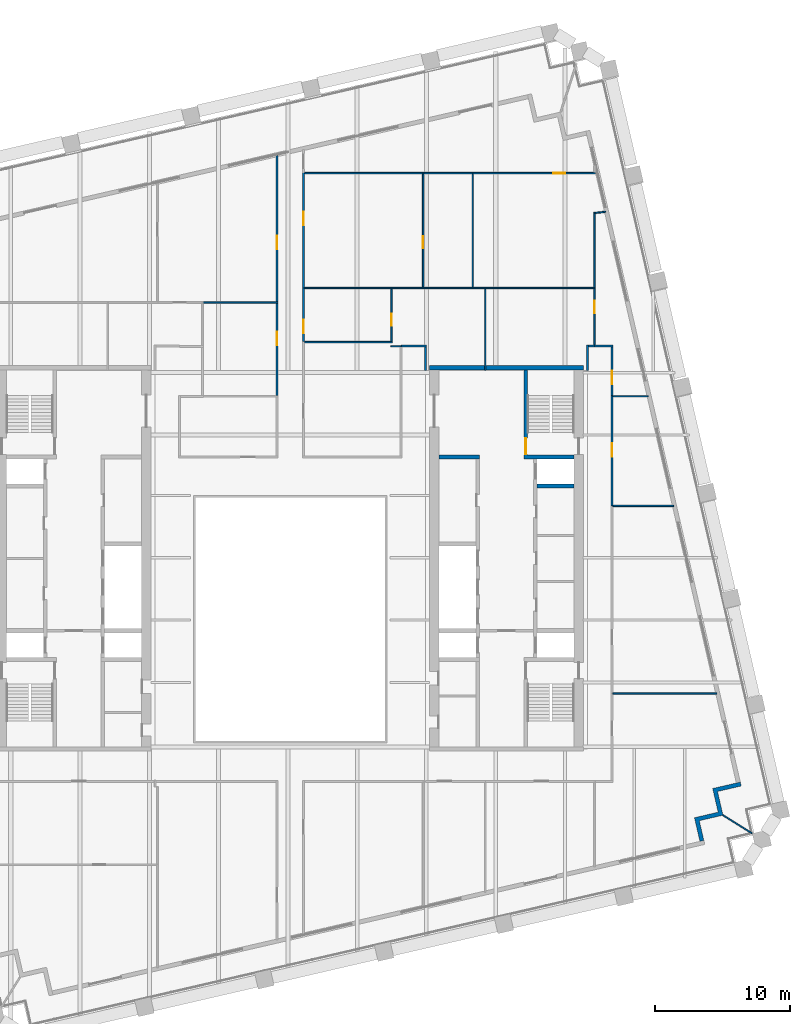
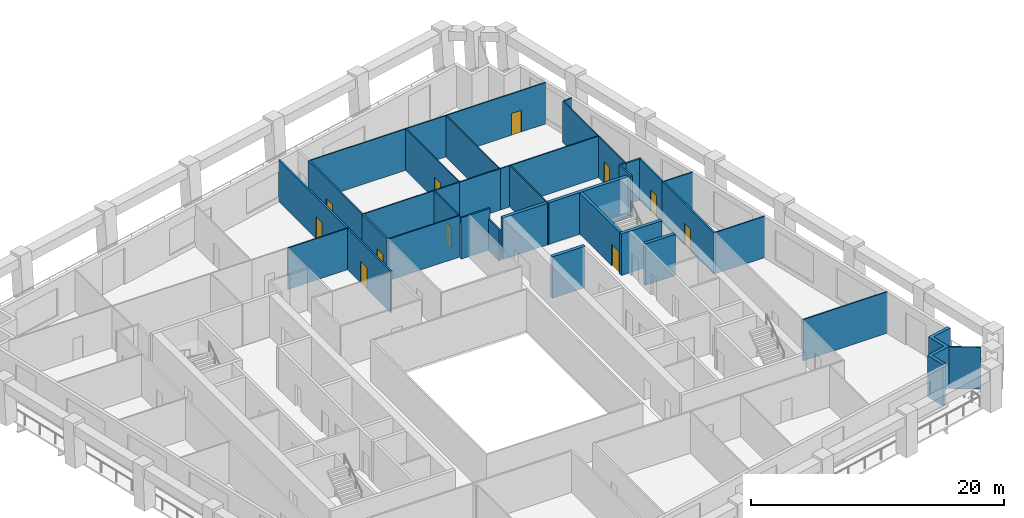
# One storey, part 8 of 11: 39 walls, 11 doors, 11 openings.
"""IFC4 building model written with IfcOpenShell, lengths in metres."""

from ifc_helpers import new_model, si_unit, direction, frame, frame_2d, origin, place, context, subcontext, project, spatial, polyline, rectangle, outline, extrude, material, layer, layer_set, type_object, element, fill, save


model = new_model("IFC4")

# Units and contexts
model_context = context("Model", 3, precision=1e-05, world=origin(), true_north=direction((0.0, 1.0)))
body_context = subcontext(model_context, "Body", "Model", "MODEL_VIEW")
ifc_project = project(units=[si_unit("LENGTHUNIT", "METRE"), si_unit("AREAUNIT", "SQUARE_METRE"), si_unit("VOLUMEUNIT", "CUBIC_METRE"), si_unit("PLANEANGLEUNIT", "RADIAN"), si_unit("MASSUNIT", "GRAM", prefix="KILO")], contexts=[model_context])

# Site, building, storey
site_placement = place(None, origin())
site = spatial("IfcSite", under=ifc_project, at=site_placement, CompositionType="ELEMENT")
building_placement = place(site_placement, origin())
building = spatial("IfcBuilding", under=site, at=building_placement, Name="Ogive Exchange Tower", CompositionType="ELEMENT")
storey_placement = place(building_placement, frame((0.0, 0.0, 184.199951171875)))
storey = spatial("IfcBuildingStorey", under=building, at=storey_placement, Name="L40", CompositionType="ELEMENT", Elevation=184.199951171875)

# Wall
ifc_material_1 = material(Name="Gypsum board partition")
ifc_layer_1 = layer(ifc_material_1, 0.300048828125)
ifc_layer_set_1 = layer_set([ifc_layer_1], Name="Core room partition 300 gypsum")
wall_type_1 = type_object("IfcWallType", Name="Core room partition 300 gypsum", PredefinedType="PARTITIONING", material=ifc_layer_set_1)
wall_1_placement = place(storey_placement, frame((11.0, 19.0, 0.0), z_axis=(0.0, 0.0, 1.0), x_axis=(1.0, 0.0, 0.0)))
element("IfcWall", 1, at=wall_1_placement, inside=storey, type_object=wall_type_1, Name="E row B room end wall 7", PredefinedType="PARTITIONING", context=body_context, shape_type="SweptSolid", body=[
    extrude(rectangle(XDim=3.0, YDim=0.300048828125, at=frame_2d((1.5, 0.0))), origin(), (0.0, 0.0, 1.0), 4.0),
])

# Wall, opening, door
ifc_material_2 = material(Name="Fire partition EI 60 150")
ifc_layer_2 = layer(ifc_material_2, 0.14990234375)
ifc_layer_set_2 = layer_set([ifc_layer_2], Name="Fire partition EI 60 150")
wall_type_2 = type_object("IfcWallType", Name="Fire partition EI 60 150", PredefinedType="PARTITIONING", material=ifc_layer_set_2)
wall_2_placement = place(storey_placement, frame((-0.989990234375, 23.5400390625, 0.0), z_axis=(0.0, 0.0, 1.0), x_axis=(0.0, 1.0, 0.0)))
wall_2 = element("IfcWall", 2, at=wall_2_placement, inside=storey, type_object=wall_type_2, Name="L40-PWL-039", PredefinedType="PARTITIONING", context=body_context, shape_type="SweptSolid", body=[
    extrude(rectangle(XDim=6.830078125, YDim=0.14990234375, at=frame_2d((3.4150390625, 0.0))), origin(), (0.0, 0.0, 1.0), 4.0),
])
opening_1_placement = place(wall_2_placement, frame((3.72998046875, 0.0, 0.0)))
opening_1 = element("IfcOpeningElement", 3, at=opening_1_placement, cuts=wall_2, Name="Opening L40-I06", PredefinedType="OPENING", context=body_context, shape_type="SweptSolid", body=[
    extrude(rectangle(XDim=1.0, YDim=2.10009765625, at=frame_2d((0.5, 1.050048828125))), frame((0.0, 0.0849609375, 0.0), z_axis=(0.0, -1.0, 0.0), x_axis=(1.0, 0.0, 0.0)), (0.0, 0.0, 1.0), 0.169921875),
])
ifc_material_3 = material(Name="Fire door FD 30S 1000 x 2100")
door_type_1 = type_object("IfcDoorType", Name="Fire door FD 30S 1000 x 2100", OperationType="NOTDEFINED", PredefinedType="DOOR", material=ifc_material_3)
door_1_placement = place(opening_1_placement, origin())
door_1 = element("IfcDoor", 4, at=door_1_placement, inside=storey, type_object=door_type_1, Name="L40-IDR-006", ObjectType="DT3", OperationType="SINGLE_SWING_LEFT", OverallHeight=2.10009765625, OverallWidth=1.0, PredefinedType="DOOR", context=body_context, shape_type="SweptSolid", body=[
    extrude(rectangle(XDim=1.0, YDim=2.10009765625, at=frame_2d((0.5, 1.050048828125))), frame((0.0, 0.02490234375, 0.0), z_axis=(0.0, -1.0, 0.0), x_axis=(1.0, 0.0, 0.0)), (0.0, 0.0, 1.0), 0.050048828125),
])
fill(opening_1, door_1)

wall_3_placement = place(storey_placement, frame((-0.989990234375, 30.469970703125, 0.0), z_axis=(0.0, 0.0, 1.0), x_axis=(0.0, 1.0, 0.0)))
wall_3 = element("IfcWall", 5, at=wall_3_placement, inside=storey, type_object=wall_type_2, Name="L40-PWL-040", PredefinedType="PARTITIONING", context=body_context, shape_type="SweptSolid", body=[
    extrude(rectangle(XDim=10.825927734375, YDim=0.14990234375, at=frame_2d((5.4130859375, 0.0))), origin(), (0.0, 0.0, 1.0), 4.0),
])
opening_2_placement = place(wall_3_placement, frame((3.89990234375, 0.0, 0.0)))
opening_2 = element("IfcOpeningElement", 6, at=opening_2_placement, cuts=wall_3, Name="Opening L40-I07", PredefinedType="OPENING", context=body_context, shape_type="SweptSolid", body=[
    extrude(rectangle(XDim=1.0, YDim=2.10009765625, at=frame_2d((0.5, 1.050048828125))), frame((0.0, 0.0849609375, 0.0), z_axis=(0.0, -1.0, 0.0), x_axis=(1.0, 0.0, 0.0)), (0.0, 0.0, 1.0), 0.169921875),
])
door_2_placement = place(opening_2_placement, origin())
door_2 = element("IfcDoor", 7, at=door_2_placement, inside=storey, type_object=door_type_1, Name="L40-IDR-007", ObjectType="DT3", OperationType="SINGLE_SWING_RIGHT", OverallHeight=2.10009765625, OverallWidth=1.0, PredefinedType="DOOR", context=body_context, shape_type="SweptSolid", body=[
    extrude(rectangle(XDim=1.0, YDim=2.10009765625, at=frame_2d((0.5, 1.050048828125))), frame((0.0, 0.02490234375, 0.0), z_axis=(0.0, -1.0, 0.0), x_axis=(1.0, 0.0, 0.0)), (0.0, 0.0, 1.0), 0.050048828125),
])
fill(opening_2, door_2)

wall_4_placement = place(storey_placement, frame((0.989990234375, 31.5, 0.0), z_axis=(0.0, 0.0, 1.0), x_axis=(0.0, -1.0, 0.0)))
wall_4 = element("IfcWall", 8, at=wall_4_placement, inside=storey, type_object=wall_type_2, Name="L40-PWL-044", PredefinedType="PARTITIONING", context=body_context, shape_type="SweptSolid", body=[
    extrude(rectangle(XDim=3.949951171875, YDim=0.14990234375, at=frame_2d((1.97509765625, 0.0))), origin(), (0.0, 0.0, 1.0), 4.0),
])
opening_3_placement = place(wall_4_placement, frame((2.35009765625, 0.0, 0.0)))
opening_3 = element("IfcOpeningElement", 9, at=opening_3_placement, cuts=wall_4, Name="Opening L40-I22", PredefinedType="OPENING", context=body_context, shape_type="SweptSolid", body=[
    extrude(rectangle(XDim=1.0, YDim=2.10009765625, at=frame_2d((0.5, 1.050048828125))), frame((0.0, 0.0849609375, 0.0), z_axis=(0.0, -1.0, 0.0), x_axis=(1.0, 0.0, 0.0)), (0.0, 0.0, 1.0), 0.169921875),
])
door_3_placement = place(opening_3_placement, origin())
door_3 = element("IfcDoor", 10, at=door_3_placement, inside=storey, type_object=door_type_1, Name="L40-IDR-022", ObjectType="DT3", OperationType="SINGLE_SWING_LEFT", OverallHeight=2.10009765625, OverallWidth=1.0, PredefinedType="DOOR", context=body_context, shape_type="SweptSolid", body=[
    extrude(rectangle(XDim=1.0, YDim=2.10009765625, at=frame_2d((0.5, 1.050048828125))), frame((0.0, 0.02490234375, 0.0), z_axis=(0.0, -1.0, 0.0), x_axis=(1.0, 0.0, 0.0)), (0.0, 0.0, 1.0), 0.050048828125),
])
fill(opening_3, door_3)

wall_5_placement = place(storey_placement, frame((0.989990234375, 40.050048828125, 0.0), z_axis=(0.0, 0.0, 1.0), x_axis=(0.0, -1.0, 0.0)))
wall_5 = element("IfcWall", 11, at=wall_5_placement, inside=storey, type_object=wall_type_2, Name="L40-PWL-046", PredefinedType="PARTITIONING", context=body_context, shape_type="SweptSolid", body=[
    extrude(rectangle(XDim=8.550048828125, YDim=0.14990234375, at=frame_2d((4.27490234375, 0.0))), origin(), (0.0, 0.0, 1.0), 4.0),
])
opening_4_placement = place(wall_5_placement, frame((2.89990234375, 0.0, 0.0)))
opening_4 = element("IfcOpeningElement", 12, at=opening_4_placement, cuts=wall_5, Name="Opening L40-I26", PredefinedType="OPENING", context=body_context, shape_type="SweptSolid", body=[
    extrude(rectangle(XDim=1.0, YDim=2.10009765625, at=frame_2d((0.5, 1.050048828125))), frame((0.0, 0.0849609375, 0.0), z_axis=(0.0, -1.0, 0.0), x_axis=(1.0, 0.0, 0.0)), (0.0, 0.0, 1.0), 0.169921875),
])
door_4_placement = place(opening_4_placement, origin())
door_4 = element("IfcDoor", 13, at=door_4_placement, inside=storey, type_object=door_type_1, Name="L40-IDR-026", ObjectType="DT3", OperationType="SINGLE_SWING_RIGHT", OverallHeight=2.10009765625, OverallWidth=1.0, PredefinedType="DOOR", context=body_context, shape_type="SweptSolid", body=[
    extrude(rectangle(XDim=1.0, YDim=2.10009765625, at=frame_2d((0.5, 1.050048828125))), frame((0.0, 0.02490234375, 0.0), z_axis=(0.0, -1.0, 0.0), x_axis=(1.0, 0.0, 0.0)), (0.0, 0.0, 1.0), 0.050048828125),
])
fill(opening_4, door_4)

# Walls
wall_6_placement = place(storey_placement, frame((8.199951171875, 27.199951171875, 0.0), z_axis=(0.0, 0.0, 1.0), x_axis=(1.0, 0.0, 0.0)))
element("IfcWall", 14, at=wall_6_placement, inside=storey, type_object=wall_type_2, Name="L40-PWL-054", PredefinedType="PARTITIONING", context=body_context, shape_type="SweptSolid", body=[
    extrude(rectangle(XDim=1.875, YDim=0.14990234375, at=frame_2d((0.9375, 0.0))), origin(), (0.0, 0.0, 1.0), 4.0),
])
wall_7_placement = place(storey_placement, frame((10.0, 27.125, 0.0), z_axis=(0.0, 0.0, 1.0), x_axis=(0.0, -1.0, 0.0)))
element("IfcWall", 15, at=wall_7_placement, inside=storey, type_object=wall_type_2, Name="L40-PWL-060", PredefinedType="PARTITIONING", context=body_context, shape_type="SweptSolid", body=[
    extrude(rectangle(XDim=1.72509765625, YDim=0.14990234375, at=frame_2d((0.862548828125, 0.0))), origin(), (0.0, 0.0, 1.0), 3.02001953125),
])
wall_8_placement = place(storey_placement, frame((22.0, 25.39990234375, 0.0), z_axis=(0.0, 0.0, 1.0), x_axis=(0.0, 1.0, 0.0)))
element("IfcWall", 16, at=wall_8_placement, inside=storey, type_object=wall_type_2, Name="L40-PWL-068", PredefinedType="PARTITIONING", context=body_context, shape_type="SweptSolid", body=[
    extrude(rectangle(XDim=1.875, YDim=0.14990234375, at=frame_2d((0.9375, 0.0))), origin(), (0.0, 0.0, 1.0), 4.0),
])
wall_9_placement = place(storey_placement, frame((22.074951171875, 27.199951171875, 0.0), z_axis=(0.0, 0.0, 1.0), x_axis=(1.0, 0.0, 0.0)))
element("IfcWall", 17, at=wall_9_placement, inside=storey, type_object=wall_type_2, Name="L40-PWL-069", PredefinedType="PARTITIONING", context=body_context, shape_type="SweptSolid", body=[
    extrude(rectangle(XDim=0.445068359375, YDim=0.14990234375, at=frame_2d((0.22265625, 0.0))), origin(), (0.0, 0.0, 1.0), 4.0),
])
wall_10_placement = place(storey_placement, frame((22.52001953125, 27.199951171875, 0.0), z_axis=(0.0, 0.0, 1.0), x_axis=(1.0, 0.0, 0.0)))
element("IfcWall", 18, at=wall_10_placement, inside=storey, type_object=wall_type_2, Name="L40-PWL-073", PredefinedType="PARTITIONING", context=body_context, shape_type="SweptSolid", body=[
    extrude(rectangle(XDim=1.35498046875, YDim=0.14990234375, at=frame_2d((0.677490234375, 0.0))), origin(), (0.0, 0.0, 1.0), 4.0),
])

# Wall, opening, door
wall_11_placement = place(storey_placement, frame((23.800048828125, 23.5400390625, 0.0), z_axis=(0.0, 0.0, 1.0), x_axis=(0.0, -1.0, 0.0)))
wall_11 = element("IfcWall", 19, at=wall_11_placement, inside=storey, type_object=wall_type_2, Name="L40-PWL-082", PredefinedType="PARTITIONING", context=body_context, shape_type="SweptSolid", body=[
    extrude(rectangle(XDim=8.16015625, YDim=0.14990234375, at=frame_2d((4.080078125, 0.0))), origin(), (0.0, 0.0, 1.0), 4.0),
])
opening_5_placement = place(wall_11_placement, frame((3.510009765625, 0.0, 0.0)))
opening_5 = element("IfcOpeningElement", 20, at=opening_5_placement, cuts=wall_11, Name="Opening L40-I20", PredefinedType="OPENING", context=body_context, shape_type="SweptSolid", body=[
    extrude(rectangle(XDim=1.0, YDim=2.10009765625, at=frame_2d((0.5, 1.050048828125))), frame((0.0, 0.0849609375, 0.0), z_axis=(0.0, -1.0, 0.0), x_axis=(1.0, 0.0, 0.0)), (0.0, 0.0, 1.0), 0.169921875),
])
door_5_placement = place(opening_5_placement, origin())
door_5 = element("IfcDoor", 21, at=door_5_placement, inside=storey, type_object=door_type_1, Name="L40-IDR-020", ObjectType="DT3", OperationType="SINGLE_SWING_LEFT", OverallHeight=2.10009765625, OverallWidth=1.0, PredefinedType="DOOR", context=body_context, shape_type="SweptSolid", body=[
    extrude(rectangle(XDim=1.0, YDim=2.10009765625, at=frame_2d((0.5, 1.050048828125))), frame((0.0, 0.02490234375, 0.0), z_axis=(0.0, -1.0, 0.0), x_axis=(1.0, 0.0, 0.0)), (0.0, 0.0, 1.0), 0.050048828125),
])
fill(opening_5, door_5)

wall_12_placement = place(storey_placement, frame((23.800048828125, 27.125, 0.0), z_axis=(0.0, 0.0, 1.0), x_axis=(0.0, -1.0, 0.0)))
wall_12 = element("IfcWall", 22, at=wall_12_placement, inside=storey, type_object=wall_type_2, Name="L40-PWL-084", PredefinedType="PARTITIONING", context=body_context, shape_type="SweptSolid", body=[
    extrude(rectangle(XDim=3.5849609375, YDim=0.14990234375, at=frame_2d((1.79248046875, 0.0))), origin(), (0.0, 0.0, 1.0), 4.0),
])
opening_6_placement = place(wall_12_placement, frame((1.735107421875, 0.0, 0.0)))
opening_6 = element("IfcOpeningElement", 23, at=opening_6_placement, cuts=wall_12, Name="Opening L40-I21", PredefinedType="OPENING", context=body_context, shape_type="SweptSolid", body=[
    extrude(rectangle(XDim=1.0, YDim=2.10009765625, at=frame_2d((0.5, 1.050048828125))), frame((0.0, 0.0849609375, 0.0), z_axis=(0.0, -1.0, 0.0), x_axis=(1.0, 0.0, 0.0)), (0.0, 0.0, 1.0), 0.169921875),
])
door_6_placement = place(opening_6_placement, origin())
door_6 = element("IfcDoor", 24, at=door_6_placement, inside=storey, type_object=door_type_1, Name="L40-IDR-021", ObjectType="DT3", OperationType="SINGLE_SWING_LEFT", OverallHeight=2.10009765625, OverallWidth=1.0, PredefinedType="DOOR", context=body_context, shape_type="SweptSolid", body=[
    extrude(rectangle(XDim=1.0, YDim=2.10009765625, at=frame_2d((0.5, 1.050048828125))), frame((0.0, 0.02490234375, 0.0), z_axis=(0.0, -1.0, 0.0), x_axis=(1.0, 0.0, 0.0)), (0.0, 0.0, 1.0), 0.050048828125),
])
fill(opening_6, door_6)

# Walls
ifc_material_4 = material(Name="Precast concrete C40/50", Category="concrete")
ifc_layer_3 = layer(ifc_material_4, 0.300048828125)
ifc_layer_set_3 = layer_set([ifc_layer_3], Name="Limestone-faced wall 300")
wall_type_3 = type_object("IfcWallType", Name="Limestone-faced wall 300", PredefinedType="STANDARD", material=ifc_layer_set_3)
wall_13_placement = place(storey_placement, origin())
element("IfcWall", 25, at=wall_13_placement, inside=storey, type_object=wall_type_3, Name="External corner wall C1", PredefinedType="STANDARD", context=body_context, shape_type="SweptSolid", body=[
    extrude(outline(polyline([(31.662109375, -7.28466796875), (31.257080078125, -5.53076171875), (33.30322265625, -5.058349609375), (33.370849609375, -5.3505859375), (31.616943359375, -5.755615234375), (32.02197265625, -7.509521484375), (30.26806640625, -7.914306640625), (30.60546875, -9.3759765625), (30.31298828125, -9.443359375), (29.908203125, -7.689697265625), (31.662109375, -7.28466796875)])), origin(), (0.0, 0.0, 1.0), 4.0),
])
ifc_material_5 = material(Name="Laminated safety glass in steel frame", Category="steel")
ifc_layer_4 = layer(ifc_material_5, 0.10009765625)
ifc_layer_set_4 = layer_set([ifc_layer_4], Name="Loggia end screen 100")
wall_type_4 = type_object("IfcWallType", Name="Loggia end screen 100", PredefinedType="STANDARD", material=ifc_layer_set_4)
wall_14_placement = place(storey_placement, frame((32.02197265625, -7.509521484375, -0.050048828125), z_axis=(0.0, 0.0, 1.0), x_axis=(0.848047176257, -0.529920736377, 0.0)))
element("IfcWall", 26, at=wall_14_placement, inside=storey, type_object=wall_type_4, Name="Loggia end screen C1", PredefinedType="STANDARD", context=body_context, shape_type="SweptSolid", body=[
    extrude(rectangle(XDim=2.525634765625, YDim=0.10009765625, at=frame_2d((1.2626953125, 0.0))), origin(), (0.0, 0.0, 1.0), 4.050048828125),
])
ifc_material_6 = material(Name="Partition 100 gypsum")
ifc_layer_5 = layer(ifc_material_6, 0.10009765625)
ifc_layer_set_5 = layer_set([ifc_layer_5], Name="Partition 100 gypsum")
wall_type_5 = type_object("IfcWallType", Name="Partition 100 gypsum", PredefinedType="PARTITIONING", material=ifc_layer_set_5)
wall_15_placement = place(storey_placement, frame((-6.5, 30.419921875, 0.0), z_axis=(0.0, 0.0, 1.0), x_axis=(1.0, 0.0, 0.0)))
element("IfcWall", 27, at=wall_15_placement, inside=storey, type_object=wall_type_5, Name="L40-PWL-035", PredefinedType="PARTITIONING", context=body_context, shape_type="SweptSolid", body=[
    extrude(rectangle(XDim=5.5849609375, YDim=0.10009765625, at=frame_2d((2.79248046875, 0.0))), origin(), (0.0, 0.0, 1.0), 4.0),
])
wall_16_placement = place(storey_placement, frame((1.06494140625, 31.5, 0.0), z_axis=(0.0, 0.0, 1.0), x_axis=(1.0, 0.0, 0.0)))
element("IfcWall", 28, at=wall_16_placement, inside=storey, type_object=wall_type_5, Name="L40-PWL-045", PredefinedType="PARTITIONING", context=body_context, shape_type="SweptSolid", body=[
    extrude(rectangle(XDim=6.485107421875, YDim=0.10009765625, at=frame_2d((3.24267578125, 0.0))), origin(), (0.0, 0.0, 1.0), 4.0),
])
wall_17_placement = place(storey_placement, frame((1.06494140625, 40.0, 0.0), z_axis=(0.0, 0.0, 1.0), x_axis=(1.0, 0.0, 0.0)))
element("IfcWall", 29, at=wall_17_placement, inside=storey, type_object=wall_type_5, Name="L40-PWL-047", PredefinedType="PARTITIONING", context=body_context, shape_type="SweptSolid", body=[
    extrude(rectangle(XDim=8.81494140625, YDim=0.10009765625, at=frame_2d((4.407470703125, 0.0))), origin(), (0.0, 0.0, 1.0), 4.0),
])
wall_18_placement = place(storey_placement, frame((7.449951171875, 27.18994140625, 0.0), z_axis=(0.0, 0.0, 1.0), x_axis=(1.0, 0.0, 0.0)))
element("IfcWall", 30, at=wall_18_placement, inside=storey, type_object=wall_type_5, Name="L40-PWL-049", PredefinedType="PARTITIONING", context=body_context, shape_type="SweptSolid", body=[
    extrude(rectangle(XDim=0.75, YDim=0.10009765625, at=frame_2d((0.375, 0.0))), origin(), (0.0, 0.0, 1.0), 4.0),
])
wall_19_placement = place(storey_placement, frame((7.550048828125, 27.5, 0.0), z_axis=(0.0, 0.0, 1.0), x_axis=(-1.0, 0.0, 0.0)))
element("IfcWall", 31, at=wall_19_placement, inside=storey, type_object=wall_type_5, Name="L40-PWL-050", PredefinedType="PARTITIONING", context=body_context, shape_type="SweptSolid", body=[
    extrude(rectangle(XDim=6.485107421875, YDim=0.10009765625, at=frame_2d((3.24267578125, 0.0))), origin(), (0.0, 0.0, 1.0), 4.0),
])

# Wall, opening, door
wall_20_placement = place(storey_placement, frame((7.5, 31.449951171875, 0.0), z_axis=(0.0, 0.0, 1.0), x_axis=(0.0, -1.0, 0.0)))
wall_20 = element("IfcWall", 32, at=wall_20_placement, inside=storey, type_object=wall_type_5, Name="L40-PWL-051", PredefinedType="PARTITIONING", context=body_context, shape_type="SweptSolid", body=[
    extrude(rectangle(XDim=3.89990234375, YDim=0.10009765625, at=frame_2d((1.949951171875, 0.0))), origin(), (0.0, 0.0, 1.0), 4.0),
])
opening_7_placement = place(wall_20_placement, frame((1.85009765625, 0.0, 0.0)))
opening_7 = element("IfcOpeningElement", 33, at=opening_7_placement, cuts=wall_20, Name="Opening L40-I24", PredefinedType="OPENING", context=body_context, shape_type="SweptSolid", body=[
    extrude(rectangle(XDim=0.89990234375, YDim=2.10009765625, at=frame_2d((0.449951171875, 1.050048828125))), frame((0.0, 0.06005859375, 0.0), z_axis=(0.0, -1.0, 0.0), x_axis=(1.0, 0.0, 0.0)), (0.0, 0.0, 1.0), 0.1201171875),
])
ifc_material_7 = material(Name="Door 900 x 2100")
door_type_2 = type_object("IfcDoorType", Name="Door 900 x 2100", OperationType="NOTDEFINED", PredefinedType="DOOR", material=ifc_material_7)
door_7_placement = place(opening_7_placement, frame((0.89990234375, 0.0, 0.0), z_axis=(0.0, 0.0, 1.0), x_axis=(-1.0, 0.0, 0.0)))
door_7 = element("IfcDoor", 34, at=door_7_placement, inside=storey, type_object=door_type_2, Name="L40-IDR-024", ObjectType="DT1", OperationType="SINGLE_SWING_RIGHT", OverallHeight=2.10009765625, OverallWidth=0.89990234375, PredefinedType="DOOR", context=body_context, shape_type="SweptSolid", body=[
    extrude(rectangle(XDim=0.89990234375, YDim=2.10009765625, at=frame_2d((0.449951171875, 1.050048828125))), frame((0.0, 0.02490234375, 0.0), z_axis=(0.0, -1.0, 0.0), x_axis=(1.0, 0.0, 0.0)), (0.0, 0.0, 1.0), 0.050048828125),
])
fill(opening_7, door_7)

# Walls
wall_21_placement = place(storey_placement, frame((7.5, 31.5, 0.0), z_axis=(0.0, 0.0, 1.0), x_axis=(1.0, 0.0, 0.0)))
element("IfcWall", 35, at=wall_21_placement, inside=storey, type_object=wall_type_5, Name="L40-PWL-052", PredefinedType="PARTITIONING", context=body_context, shape_type="SweptSolid", body=[
    extrude(rectangle(XDim=2.280029296875, YDim=0.10009765625, at=frame_2d((1.14013671875, 0.0))), origin(), (0.0, 0.0, 1.0), 4.0),
])
wall_22_placement = place(storey_placement, frame((9.780029296875, 31.5, 0.0), z_axis=(0.0, 0.0, 1.0), x_axis=(1.0, 0.0, 0.0)))
element("IfcWall", 36, at=wall_22_placement, inside=storey, type_object=wall_type_5, Name="L40-PWL-057", PredefinedType="PARTITIONING", context=body_context, shape_type="SweptSolid", body=[
    extrude(rectangle(XDim=3.77001953125, YDim=0.10009765625, at=frame_2d((1.885009765625, 0.0))), origin(), (0.0, 0.0, 1.0), 4.0),
])

# Wall, opening, door
wall_23_placement = place(storey_placement, frame((9.830078125, 39.949951171875, 0.0), z_axis=(0.0, 0.0, 1.0), x_axis=(0.0, -1.0, 0.0)))
wall_23 = element("IfcWall", 37, at=wall_23_placement, inside=storey, type_object=wall_type_5, Name="L40-PWL-058", PredefinedType="PARTITIONING", context=body_context, shape_type="SweptSolid", body=[
    extrude(rectangle(XDim=8.39990234375, YDim=0.10009765625, at=frame_2d((4.199951171875, 0.0))), origin(), (0.0, 0.0, 1.0), 4.0),
])
opening_8_placement = place(wall_23_placement, frame((4.60009765625, 0.0, 0.0)))
opening_8 = element("IfcOpeningElement", 38, at=opening_8_placement, cuts=wall_23, Name="Opening L40-I27", PredefinedType="OPENING", context=body_context, shape_type="SweptSolid", body=[
    extrude(rectangle(XDim=0.89990234375, YDim=2.10009765625, at=frame_2d((0.449951171875, 1.050048828125))), frame((0.0, 0.06005859375, 0.0), z_axis=(0.0, -1.0, 0.0), x_axis=(1.0, 0.0, 0.0)), (0.0, 0.0, 1.0), 0.1201171875),
])
door_8_placement = place(opening_8_placement, origin())
door_8 = element("IfcDoor", 39, at=door_8_placement, inside=storey, type_object=door_type_2, Name="L40-IDR-027", ObjectType="DT1", OperationType="SINGLE_SWING_LEFT", OverallHeight=2.10009765625, OverallWidth=0.89990234375, PredefinedType="DOOR", context=body_context, shape_type="SweptSolid", body=[
    extrude(rectangle(XDim=0.89990234375, YDim=2.10009765625, at=frame_2d((0.449951171875, 1.050048828125))), frame((0.0, 0.02490234375, 0.0), z_axis=(0.0, -1.0, 0.0), x_axis=(1.0, 0.0, 0.0)), (0.0, 0.0, 1.0), 0.050048828125),
])
fill(opening_8, door_8)

# Walls
wall_24_placement = place(storey_placement, frame((9.8798828125, 40.0, 0.0), z_axis=(0.0, 0.0, 1.0), x_axis=(1.0, 0.0, 0.0)))
element("IfcWall", 40, at=wall_24_placement, inside=storey, type_object=wall_type_5, Name="L40-PWL-059", PredefinedType="PARTITIONING", context=body_context, shape_type="SweptSolid", body=[
    extrude(rectangle(XDim=3.6201171875, YDim=0.10009765625, at=frame_2d((1.81005859375, 0.0))), origin(), (0.0, 0.0, 1.0), 4.0),
])
wall_25_placement = place(storey_placement, frame((13.550048828125, 31.5, 0.0), z_axis=(0.0, 0.0, 1.0), x_axis=(1.0, 0.0, 0.0)))
element("IfcWall", 41, at=wall_25_placement, inside=storey, type_object=wall_type_5, Name="L40-PWL-061", PredefinedType="PARTITIONING", context=body_context, shape_type="SweptSolid", body=[
    extrude(rectangle(XDim=0.8798828125, YDim=0.10009765625, at=frame_2d((0.43994140625, 0.0))), origin(), (0.0, 0.0, 1.0), 4.0),
])
wall_26_placement = place(storey_placement, frame((13.5, 39.949951171875, 0.0), z_axis=(0.0, 0.0, 1.0), x_axis=(0.0, -1.0, 0.0)))
element("IfcWall", 42, at=wall_26_placement, inside=storey, type_object=wall_type_5, Name="L40-PWL-062", PredefinedType="PARTITIONING", context=body_context, shape_type="SweptSolid", body=[
    extrude(rectangle(XDim=8.39990234375, YDim=0.10009765625, at=frame_2d((4.199951171875, 0.0))), origin(), (0.0, 0.0, 1.0), 4.0),
])

# Wall, opening, door
wall_27_placement = place(storey_placement, frame((13.5, 40.0, 0.0), z_axis=(0.0, 0.0, 1.0), x_axis=(1.0, 0.0, 0.0)))
wall_27 = element("IfcWall", 43, at=wall_27_placement, inside=storey, type_object=wall_type_5, Name="L40-PWL-063", PredefinedType="PARTITIONING", context=body_context, shape_type="SweptSolid", body=[
    extrude(rectangle(XDim=9.070068359375, YDim=0.10009765625, at=frame_2d((4.53515625, 0.0))), origin(), (0.0, 0.0, 1.0), 4.0),
])
opening_9_placement = place(wall_27_placement, frame((5.949951171875, 0.0, 0.0)))
opening_9 = element("IfcOpeningElement", 44, at=opening_9_placement, cuts=wall_27, Name="Opening L40-I28", PredefinedType="OPENING", context=body_context, shape_type="SweptSolid", body=[
    extrude(rectangle(XDim=0.89990234375, YDim=2.10009765625, at=frame_2d((0.449951171875, 1.050048828125))), frame((0.0, 0.06005859375, 0.0), z_axis=(0.0, -1.0, 0.0), x_axis=(1.0, 0.0, 0.0)), (0.0, 0.0, 1.0), 0.1201171875),
])
door_9_placement = place(opening_9_placement, frame((0.89990234375, 0.0, 0.0), z_axis=(0.0, 0.0, 1.0), x_axis=(-1.0, 0.0, 0.0)))
door_9 = element("IfcDoor", 45, at=door_9_placement, inside=storey, type_object=door_type_2, Name="L40-IDR-028", ObjectType="DT1", OperationType="SINGLE_SWING_RIGHT", OverallHeight=2.10009765625, OverallWidth=0.89990234375, PredefinedType="DOOR", context=body_context, shape_type="SweptSolid", body=[
    extrude(rectangle(XDim=0.89990234375, YDim=2.10009765625, at=frame_2d((0.449951171875, 1.050048828125))), frame((0.0, 0.02490234375, 0.0), z_axis=(0.0, -1.0, 0.0), x_axis=(1.0, 0.0, 0.0)), (0.0, 0.0, 1.0), 0.050048828125),
])
fill(opening_9, door_9)

# Walls
wall_28_placement = place(storey_placement, frame((14.429931640625, 31.449951171875, 0.0), z_axis=(0.0, 0.0, 1.0), x_axis=(0.0, -1.0, 0.0)))
element("IfcWall", 46, at=wall_28_placement, inside=storey, type_object=wall_type_5, Name="L40-PWL-066", PredefinedType="PARTITIONING", context=body_context, shape_type="SweptSolid", body=[
    extrude(rectangle(XDim=6.050048828125, YDim=0.10009765625, at=frame_2d((3.02490234375, 0.0))), origin(), (0.0, 0.0, 1.0), 4.0),
])
wall_29_placement = place(storey_placement, frame((14.429931640625, 31.5, 0.0), z_axis=(0.0, 0.0, 1.0), x_axis=(1.0, 0.0, 0.0)))
element("IfcWall", 47, at=wall_29_placement, inside=storey, type_object=wall_type_5, Name="L40-PWL-067", PredefinedType="PARTITIONING", context=body_context, shape_type="SweptSolid", body=[
    extrude(rectangle(XDim=8.14013671875, YDim=0.10009765625, at=frame_2d((4.070068359375, 0.0))), origin(), (0.0, 0.0, 1.0), 4.0),
])

# Wall, opening, door
wall_30_placement = place(storey_placement, frame((22.52001953125, 27.27490234375, 0.0), z_axis=(0.0, 0.0, 1.0), x_axis=(0.0, 1.0, 0.0)))
wall_30 = element("IfcWall", 48, at=wall_30_placement, inside=storey, type_object=wall_type_5, Name="L40-PWL-072", PredefinedType="PARTITIONING", context=body_context, shape_type="SweptSolid", body=[
    extrude(rectangle(XDim=4.175048828125, YDim=0.10009765625, at=frame_2d((2.08740234375, 0.0))), origin(), (0.0, 0.0, 1.0), 4.0),
])
opening_10_placement = place(wall_30_placement, frame((2.375, 0.0, 0.0)))
opening_10 = element("IfcOpeningElement", 49, at=opening_10_placement, cuts=wall_30, Name="Opening L40-I25", PredefinedType="OPENING", context=body_context, shape_type="SweptSolid", body=[
    extrude(rectangle(XDim=0.89990234375, YDim=2.10009765625, at=frame_2d((0.449951171875, 1.050048828125))), frame((0.0, 0.06005859375, 0.0), z_axis=(0.0, -1.0, 0.0), x_axis=(1.0, 0.0, 0.0)), (0.0, 0.0, 1.0), 0.1201171875),
])
door_10_placement = place(opening_10_placement, frame((0.89990234375, 0.0, 0.0), z_axis=(0.0, 0.0, 1.0), x_axis=(-1.0, 0.0, 0.0)))
door_10 = element("IfcDoor", 50, at=door_10_placement, inside=storey, type_object=door_type_2, Name="L40-IDR-025", ObjectType="DT1", OperationType="SINGLE_SWING_LEFT", OverallHeight=2.10009765625, OverallWidth=0.89990234375, PredefinedType="DOOR", context=body_context, shape_type="SweptSolid", body=[
    extrude(rectangle(XDim=0.89990234375, YDim=2.10009765625, at=frame_2d((0.449951171875, 1.050048828125))), frame((0.0, 0.02490234375, 0.0), z_axis=(0.0, -1.0, 0.0), x_axis=(1.0, 0.0, 0.0)), (0.0, 0.0, 1.0), 0.050048828125),
])
fill(opening_10, door_10)

# Walls
wall_31_placement = place(storey_placement, frame((22.52001953125, 31.550048828125, 0.0), z_axis=(0.0, 0.0, 1.0), x_axis=(0.0, 1.0, 0.0)))
element("IfcWall", 51, at=wall_31_placement, inside=storey, type_object=wall_type_5, Name="L40-PWL-074", PredefinedType="PARTITIONING", context=body_context, shape_type="SweptSolid", body=[
    extrude(rectangle(XDim=5.550048828125, YDim=0.10009765625, at=frame_2d((2.77490234375, 0.0))), origin(), (0.0, 0.0, 1.0), 4.0),
])
wall_32_placement = place(storey_placement, frame((22.570068359375, 37.055908203125, 0.0), z_axis=(0.0, 0.0, 1.0), x_axis=(0.993410326243, 0.114612057454, 0.0)))
element("IfcWall", 52, at=wall_32_placement, inside=storey, type_object=wall_type_5, Name="L40-PWL-075", PredefinedType="PARTITIONING", context=body_context, shape_type="SweptSolid", body=[
    extrude(rectangle(XDim=0.76904296875, YDim=0.10009765625, at=frame_2d((0.384521484375, 0.0))), origin(), (0.0, 0.0, 1.0), 4.0),
])
wall_33_placement = place(storey_placement, frame((23.875, 1.510009765625, 0.0), z_axis=(0.0, 0.0, 1.0), x_axis=(1.0, 0.0, 0.0)))
element("IfcWall", 53, at=wall_33_placement, inside=storey, type_object=wall_type_5, Name="L40-PWL-079", PredefinedType="PARTITIONING", context=body_context, shape_type="SweptSolid", body=[
    extrude(rectangle(XDim=7.68701171875, YDim=0.10009765625, at=frame_2d((3.843505859375, 0.0))), origin(), (0.0, 0.0, 1.0), 4.0),
])
wall_34_placement = place(storey_placement, frame((23.875, 15.3798828125, 0.0), z_axis=(0.0, 0.0, 1.0), x_axis=(1.0, 0.0, 0.0)))
element("IfcWall", 54, at=wall_34_placement, inside=storey, type_object=wall_type_5, Name="L40-PWL-081", PredefinedType="PARTITIONING", context=body_context, shape_type="SweptSolid", body=[
    extrude(rectangle(XDim=4.485107421875, YDim=0.10009765625, at=frame_2d((2.24267578125, 0.0))), origin(), (0.0, 0.0, 1.0), 4.0),
])
wall_35_placement = place(storey_placement, frame((23.875, 23.489990234375, 0.0), z_axis=(0.0, 0.0, 1.0), x_axis=(1.0, 0.0, 0.0)))
element("IfcWall", 55, at=wall_35_placement, inside=storey, type_object=wall_type_5, Name="L40-PWL-083", PredefinedType="PARTITIONING", context=body_context, shape_type="SweptSolid", body=[
    extrude(rectangle(XDim=2.612060546875, YDim=0.10009765625, at=frame_2d((1.30615234375, 0.0))), origin(), (0.0, 0.0, 1.0), 4.0),
])

# Wall, opening, door
ifc_material_8 = material(Name="Concrete C70/85", Category="concrete")
ifc_layer_6 = layer(ifc_material_8, 0.25)
ifc_layer_set_6 = layer_set([ifc_layer_6], Name="RC core wall 250 C70/85")
wall_type_6 = type_object("IfcWallType", Name="RC core wall 250 C70/85", PredefinedType="SHEAR", material=ifc_layer_set_6)
wall_36_placement = place(storey_placement, frame((17.425048828125, 19.14990234375, 0.0), z_axis=(0.0, 0.0, 1.0), x_axis=(0.0, 1.0, 0.0)))
wall_36 = element("IfcWall", 56, at=wall_36_placement, inside=storey, type_object=wall_type_6, Name="E stair N front wall", PredefinedType="SHEAR", context=body_context, shape_type="SweptSolid", body=[
    extrude(rectangle(XDim=6.300048828125, YDim=0.25, at=frame_2d((3.14990234375, 0.0))), origin(), (0.0, 0.0, 1.0), 4.0),
])
opening_11_placement = place(wall_36_placement, frame((0.050048828125, 0.0, 0.0)))
opening_11 = element("IfcOpeningElement", 57, at=opening_11_placement, cuts=wall_36, Name="Opening L40-C32", PredefinedType="OPENING", context=body_context, shape_type="SweptSolid", body=[
    extrude(rectangle(XDim=1.199951171875, YDim=2.10009765625, at=frame_2d((0.60009765625, 1.050048828125))), frame((0.0, 0.135009765625, 0.0), z_axis=(0.0, -1.0, 0.0), x_axis=(1.0, 0.0, 0.0)), (0.0, 0.0, 1.0), 0.27001953125),
])
ifc_material_9 = material(Name="Steel fire door", Category="steel")
door_type_3 = type_object("IfcDoorType", Name="Stair door FD90 1200 x 2100", OperationType="NOTDEFINED", PredefinedType="DOOR", material=ifc_material_9)
door_11_placement = place(opening_11_placement, frame((1.199951171875, 0.0, 0.0), z_axis=(0.0, 0.0, 1.0), x_axis=(-1.0, 0.0, 0.0)))
door_11 = element("IfcDoor", 58, at=door_11_placement, inside=storey, type_object=door_type_3, Name="Stair door", ObjectType="CD5", OperationType="SINGLE_SWING_LEFT", OverallHeight=2.10009765625, OverallWidth=1.199951171875, PredefinedType="DOOR", context=body_context, shape_type="SweptSolid", body=[
    extrude(rectangle(XDim=1.199951171875, YDim=2.10009765625, at=frame_2d((0.60009765625, 1.050048828125))), frame((0.0, 0.02490234375, 0.0), z_axis=(0.0, -1.0, 0.0), x_axis=(1.0, 0.0, 0.0)), (0.0, 0.0, 1.0), 0.050048828125),
])
fill(opening_11, door_11)

# Walls
ifc_layer_7 = layer(ifc_material_8, 0.300048828125)
ifc_layer_set_7 = layer_set([ifc_layer_7], Name="RC core wall 300 C70/85")
wall_type_7 = type_object("IfcWallType", Name="RC core wall 300 C70/85", PredefinedType="SHEAR", material=ifc_layer_set_7)
wall_37_placement = place(storey_placement, frame((10.300048828125, 25.60009765625, 0.0), z_axis=(0.0, 0.0, 1.0), x_axis=(1.0, 0.0, 0.0)))
element("IfcWall", 59, at=wall_37_placement, inside=storey, type_object=wall_type_7, Name="E north end wall", PredefinedType="SHEAR", context=body_context, shape_type="SweptSolid", body=[
    extrude(rectangle(XDim=11.39990234375, YDim=0.300048828125, at=frame_2d((5.699951171875, 0.0))), origin(), (0.0, 0.0, 1.0), 4.0),
])
wall_38_placement = place(storey_placement, frame((17.300048828125, 19.0, 0.0), z_axis=(0.0, 0.0, 1.0), x_axis=(1.0, 0.0, 0.0)))
element("IfcWall", 60, at=wall_38_placement, inside=storey, type_object=wall_type_7, Name="E stair N south wall", PredefinedType="SHEAR", context=body_context, shape_type="SweptSolid", body=[
    extrude(rectangle(XDim=3.699951171875, YDim=0.300048828125, at=frame_2d((1.85009765625, 0.0))), origin(), (0.0, 0.0, 1.0), 4.0),
])
wall_39_placement = place(storey_placement, frame((18.25, 16.857177734375, 0.0), z_axis=(0.0, 0.0, 1.0), x_axis=(1.0, 0.0, 0.0)))
element("IfcWall", 61, at=wall_39_placement, inside=storey, type_object=wall_type_7, Name="E row A divider 6", PredefinedType="SHEAR", context=body_context, shape_type="SweptSolid", body=[
    extrude(rectangle(XDim=2.75, YDim=0.300048828125, at=frame_2d((1.375, 0.0))), origin(), (0.0, 0.0, 1.0), 4.0),
])

save(model, "model.ifc")
